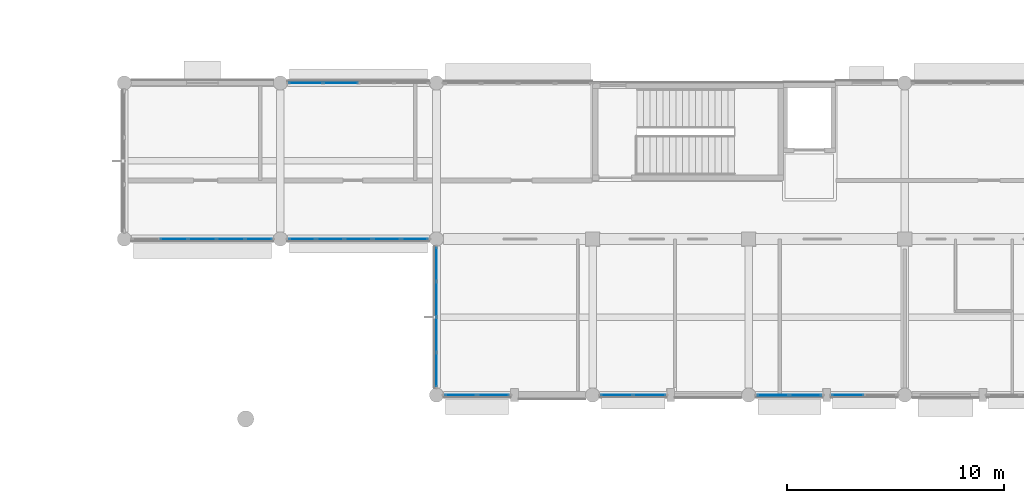
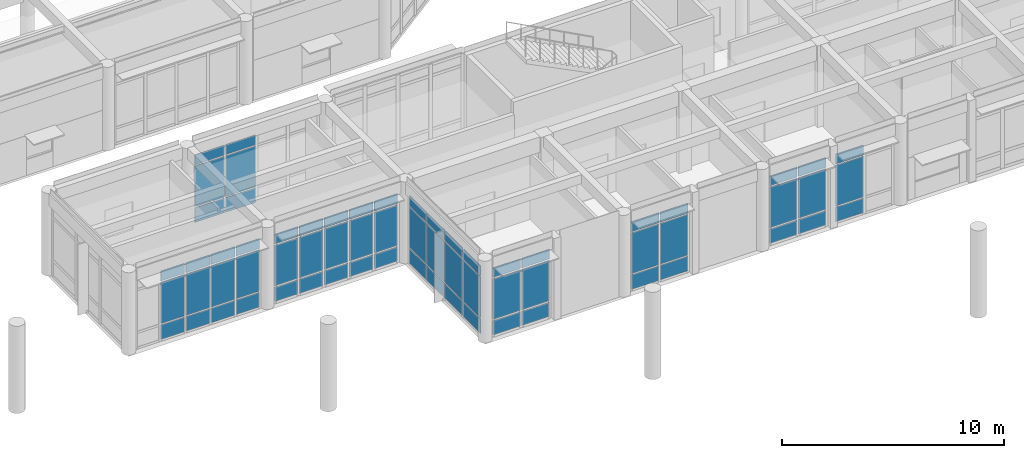
# One storey, part 34 of 92: 66 plates, 8 elements without a shape of their own.
"""IFC4 building model written with IfcOpenShell, lengths in metres."""

from ifc_helpers import new_model, si_unit, direction, frame, origin, origin_2d, place, context, subcontext, project, spatial, rectangle, extrude, material, layer, layer_set, type_object, element, aggregate, save


model = new_model("IFC4")

# Units and contexts
model_context = context("Model", 3, precision=1e-05, world=origin(), true_north=direction((0.0, 1.0)))
body_context = subcontext(model_context, "Body", "Model", "MODEL_VIEW")
ifc_project = project(units=[si_unit("LENGTHUNIT", "METRE"), si_unit("AREAUNIT", "SQUARE_METRE"), si_unit("VOLUMEUNIT", "CUBIC_METRE"), si_unit("PLANEANGLEUNIT", "RADIAN"), si_unit("MASSUNIT", "GRAM", prefix="KILO")], contexts=[model_context])

# Site, building, storey
site_placement = place(None, origin())
site = spatial("IfcSite", under=ifc_project, at=site_placement, CompositionType="ELEMENT")
building_placement = place(site_placement, origin())
building = spatial("IfcBuilding", under=site, at=building_placement, Name="Namkhue Oval Health Centre", CompositionType="ELEMENT")
storey_placement = place(building_placement, frame((0.0, 0.0, 4.800048828125)))
storey = spatial("IfcBuildingStorey", under=building, at=storey_placement, Name="L01", CompositionType="ELEMENT", Elevation=4.800048828125)

# Curtain wall, plates
ifc_material_1 = material(Name="Anodised aluminium EN AW-6063 T6", Category="aluminium")
ifc_layer_1 = layer(ifc_material_1, 0.159912109375)
ifc_layer_set_1 = layer_set([ifc_layer_1], Name="Anodised aluminium EN AW-6063 T6")
curtain_wall_type_1 = type_object("IfcCurtainWallType", Name="UNITISED CURTAIN WALL M1800", PredefinedType="NOTDEFINED", material=ifc_layer_set_1)
curtain_wall_1_placement = place(storey_placement, origin())
curtain_wall_1 = element("IfcCurtainWall", 1, at=curtain_wall_1_placement, inside=storey, type_object=curtain_wall_type_1, Name="Volume V4 L01 Unitised Curtain Wall 149", PredefinedType="NOTDEFINED")
ifc_material_2 = material(Name="Thermally broken low-E laminated double glazing", Category="glass")
ifc_layer_2 = layer(ifc_material_2, 0.02587890625)
ifc_layer_set_2 = layer_set([ifc_layer_2], Name="Thermally broken low-E laminated double glazing")
plate_type_1 = type_object("IfcPlateType", Name="CURTAIN WALL GLAZED PANEL 26", PredefinedType="CURTAIN_PANEL", material=ifc_layer_set_2)
plate_1_placement = place(storey_placement, frame((69.3720703125, 14.39990234375, 0.06494140625), z_axis=(0.0, 0.0, 1.0), x_axis=(1.0, 0.0, 0.0)))
plate_1 = element("IfcPlate", 2, at=plate_1_placement, type_object=plate_type_1, Name="CW-05 panel 1.1", PredefinedType="CURTAIN_PANEL", context=body_context, shape_type="SweptSolid", body=[
    extrude(rectangle(XDim=1.44189453125, YDim=0.02587890625, at=origin_2d()), origin(), (0.0, 0.0, 1.0), 0.802490234375),
])
plate_2_placement = place(storey_placement, frame((69.3720703125, 14.39990234375, 0.9326171875), z_axis=(0.0, 0.0, 1.0), x_axis=(1.0, 0.0, 0.0)))
plate_2 = element("IfcPlate", 3, at=plate_2_placement, type_object=plate_type_1, Name="CW-05 panel 1.2", PredefinedType="CURTAIN_PANEL", context=body_context, shape_type="SweptSolid", body=[
    extrude(rectangle(XDim=1.44189453125, YDim=0.02587890625, at=origin_2d()), origin(), (0.0, 0.0, 1.0), 2.239990234375),
])
plate_3_placement = place(storey_placement, frame((69.3720703125, 14.39990234375, 3.2373046875), z_axis=(0.0, 0.0, 1.0), x_axis=(1.0, 0.0, 0.0)))
plate_3 = element("IfcPlate", 4, at=plate_3_placement, type_object=plate_type_1, Name="CW-05 panel 1.3", PredefinedType="CURTAIN_PANEL", context=body_context, shape_type="SweptSolid", body=[
    extrude(rectangle(XDim=1.44189453125, YDim=0.02587890625, at=origin_2d()), origin(), (0.0, 0.0, 1.0), 0.552490234375),
])
aggregate(curtain_wall_1, [plate_1, plate_2, plate_3])

ifc_layer_3 = layer(ifc_material_1, 0.159912109375)
ifc_layer_set_3 = layer_set([ifc_layer_3], Name="Anodised aluminium EN AW-6063 T6")
curtain_wall_type_2 = type_object("IfcCurtainWallType", Name="UNITISED CURTAIN WALL M1200", PredefinedType="NOTDEFINED", material=ifc_layer_set_3)
curtain_wall_2_placement = place(storey_placement, origin())
curtain_wall_2 = element("IfcCurtainWall", 5, at=curtain_wall_2_placement, inside=storey, type_object=curtain_wall_type_2, Name="Volume V4 L01 Unitised Curtain Wall 157", PredefinedType="NOTDEFINED")
plate_4_placement = place(storey_placement, frame((38.2939453125, 21.60009765625, 0.06494140625), z_axis=(0.0, 0.0, 1.0), x_axis=(1.0, 0.0, 0.0)))
plate_4 = element("IfcPlate", 6, at=plate_4_placement, type_object=plate_type_1, Name="CW-01 panel 2.1", PredefinedType="CURTAIN_PANEL", context=body_context, shape_type="SweptSolid", body=[
    extrude(rectangle(XDim=1.240966796875, YDim=0.02587890625, at=origin_2d()), origin(), (0.0, 0.0, 1.0), 0.802490234375),
])
plate_5_placement = place(storey_placement, frame((38.2939453125, 21.60009765625, 0.9326171875), z_axis=(0.0, 0.0, 1.0), x_axis=(1.0, 0.0, 0.0)))
plate_5 = element("IfcPlate", 7, at=plate_5_placement, type_object=plate_type_1, Name="CW-01 panel 2.2", PredefinedType="CURTAIN_PANEL", context=body_context, shape_type="SweptSolid", body=[
    extrude(rectangle(XDim=1.240966796875, YDim=0.02587890625, at=origin_2d()), origin(), (0.0, 0.0, 1.0), 2.282958984375),
])
plate_6_placement = place(storey_placement, frame((38.2939453125, 21.60009765625, 3.2802734375), z_axis=(0.0, 0.0, 1.0), x_axis=(1.0, 0.0, 0.0)))
plate_6 = element("IfcPlate", 8, at=plate_6_placement, type_object=plate_type_1, Name="CW-01 panel 2.3", PredefinedType="CURTAIN_PANEL", context=body_context, shape_type="SweptSolid", body=[
    extrude(rectangle(XDim=1.240966796875, YDim=0.02587890625, at=origin_2d()), origin(), (0.0, 0.0, 1.0), 0.552490234375),
])
plate_7_placement = place(storey_placement, frame((39.60009765625, 21.60009765625, 0.06494140625), z_axis=(0.0, 0.0, 1.0), x_axis=(1.0, 0.0, 0.0)))
plate_7 = element("IfcPlate", 9, at=plate_7_placement, type_object=plate_type_1, Name="CW-01 panel 3.1", PredefinedType="CURTAIN_PANEL", context=body_context, shape_type="SweptSolid", body=[
    extrude(rectangle(XDim=1.240966796875, YDim=0.02587890625, at=origin_2d()), origin(), (0.0, 0.0, 1.0), 0.802490234375),
])
plate_8_placement = place(storey_placement, frame((39.60009765625, 21.60009765625, 0.9326171875), z_axis=(0.0, 0.0, 1.0), x_axis=(1.0, 0.0, 0.0)))
plate_8 = element("IfcPlate", 10, at=plate_8_placement, type_object=plate_type_1, Name="CW-01 panel 3.2", PredefinedType="CURTAIN_PANEL", context=body_context, shape_type="SweptSolid", body=[
    extrude(rectangle(XDim=1.240966796875, YDim=0.02587890625, at=origin_2d()), origin(), (0.0, 0.0, 1.0), 2.282958984375),
])
plate_9_placement = place(storey_placement, frame((39.60009765625, 21.60009765625, 3.2802734375), z_axis=(0.0, 0.0, 1.0), x_axis=(1.0, 0.0, 0.0)))
plate_9 = element("IfcPlate", 11, at=plate_9_placement, type_object=plate_type_1, Name="CW-01 panel 3.3", PredefinedType="CURTAIN_PANEL", context=body_context, shape_type="SweptSolid", body=[
    extrude(rectangle(XDim=1.240966796875, YDim=0.02587890625, at=origin_2d()), origin(), (0.0, 0.0, 1.0), 0.552490234375),
])
plate_10_placement = place(storey_placement, frame((40.906005859375, 21.60009765625, 0.06494140625), z_axis=(0.0, 0.0, 1.0), x_axis=(1.0, 0.0, 0.0)))
plate_10 = element("IfcPlate", 12, at=plate_10_placement, type_object=plate_type_1, Name="CW-01 panel 4.1", PredefinedType="CURTAIN_PANEL", context=body_context, shape_type="SweptSolid", body=[
    extrude(rectangle(XDim=1.240966796875, YDim=0.02587890625, at=origin_2d()), origin(), (0.0, 0.0, 1.0), 0.802490234375),
])
plate_11_placement = place(storey_placement, frame((40.906005859375, 21.60009765625, 0.9326171875), z_axis=(0.0, 0.0, 1.0), x_axis=(1.0, 0.0, 0.0)))
plate_11 = element("IfcPlate", 13, at=plate_11_placement, type_object=plate_type_1, Name="CW-01 panel 4.2", PredefinedType="CURTAIN_PANEL", context=body_context, shape_type="SweptSolid", body=[
    extrude(rectangle(XDim=1.240966796875, YDim=0.02587890625, at=origin_2d()), origin(), (0.0, 0.0, 1.0), 2.282958984375),
])
plate_12_placement = place(storey_placement, frame((40.906005859375, 21.60009765625, 3.2802734375), z_axis=(0.0, 0.0, 1.0), x_axis=(1.0, 0.0, 0.0)))
plate_12 = element("IfcPlate", 14, at=plate_12_placement, type_object=plate_type_1, Name="CW-01 panel 4.3", PredefinedType="CURTAIN_PANEL", context=body_context, shape_type="SweptSolid", body=[
    extrude(rectangle(XDim=1.240966796875, YDim=0.02587890625, at=origin_2d()), origin(), (0.0, 0.0, 1.0), 0.552490234375),
])
plate_13_placement = place(storey_placement, frame((42.19580078125, 21.60009765625, 0.06494140625), z_axis=(0.0, 0.0, 1.0), x_axis=(1.0, 0.0, 0.0)))
plate_13 = element("IfcPlate", 15, at=plate_13_placement, type_object=plate_type_1, Name="CW-01 panel 5.1", PredefinedType="CURTAIN_PANEL", context=body_context, shape_type="SweptSolid", body=[
    extrude(rectangle(XDim=1.20849609375, YDim=0.02587890625, at=origin_2d()), origin(), (0.0, 0.0, 1.0), 0.802490234375),
])
plate_14_placement = place(storey_placement, frame((42.19580078125, 21.60009765625, 0.9326171875), z_axis=(0.0, 0.0, 1.0), x_axis=(1.0, 0.0, 0.0)))
plate_14 = element("IfcPlate", 16, at=plate_14_placement, type_object=plate_type_1, Name="CW-01 panel 5.2", PredefinedType="CURTAIN_PANEL", context=body_context, shape_type="SweptSolid", body=[
    extrude(rectangle(XDim=1.20849609375, YDim=0.02587890625, at=origin_2d()), origin(), (0.0, 0.0, 1.0), 2.282958984375),
])
plate_15_placement = place(storey_placement, frame((42.19580078125, 21.60009765625, 3.2802734375), z_axis=(0.0, 0.0, 1.0), x_axis=(1.0, 0.0, 0.0)))
plate_15 = element("IfcPlate", 17, at=plate_15_placement, type_object=plate_type_1, Name="CW-01 panel 5.3", PredefinedType="CURTAIN_PANEL", context=body_context, shape_type="SweptSolid", body=[
    extrude(rectangle(XDim=1.20849609375, YDim=0.02587890625, at=origin_2d()), origin(), (0.0, 0.0, 1.0), 0.552490234375),
])
aggregate(curtain_wall_2, [plate_4, plate_5, plate_6, plate_7, plate_8, plate_9, plate_10, plate_11, plate_12, plate_13, plate_14, plate_15])

ifc_layer_4 = layer(ifc_material_1, 0.159912109375)
ifc_layer_set_4 = layer_set([ifc_layer_4], Name="Anodised aluminium EN AW-6063 T6")
curtain_wall_type_3 = type_object("IfcCurtainWallType", Name="UNITISED CURTAIN WALL M1350", PredefinedType="NOTDEFINED", material=ifc_layer_set_4)
curtain_wall_3_placement = place(storey_placement, origin())
curtain_wall_3 = element("IfcCurtainWall", 18, at=curtain_wall_3_placement, inside=storey, type_object=curtain_wall_type_3, Name="Volume V4 L01 Unitised Curtain Wall 146", PredefinedType="NOTDEFINED")
ifc_layer_5 = layer(ifc_material_2, 0.028076171875)
ifc_layer_set_5 = layer_set([ifc_layer_5], Name="Thermally broken low-E laminated double glazing")
plate_type_2 = type_object("IfcPlateType", Name="CURTAIN WALL GLAZED PANEL 28", PredefinedType="CURTAIN_PANEL", material=ifc_layer_set_5)
plate_16_placement = place(storey_placement, frame((51.5234375, 14.39990234375, 0.074951171875), z_axis=(0.0, 0.0, 1.0), x_axis=(1.0, 0.0, 0.0)))
plate_16 = element("IfcPlate", 19, at=plate_16_placement, type_object=plate_type_2, Name="CW-02 panel 1.1", PredefinedType="CURTAIN_PANEL", context=body_context, shape_type="SweptSolid", body=[
    extrude(rectangle(XDim=1.427001953125, YDim=0.028076171875, at=origin_2d()), origin(), (0.0, 0.0, 1.0), 0.78759765625),
])
plate_17_placement = place(storey_placement, frame((51.5234375, 14.39990234375, 0.9375), z_axis=(0.0, 0.0, 1.0), x_axis=(1.0, 0.0, 0.0)))
plate_17 = element("IfcPlate", 20, at=plate_17_placement, type_object=plate_type_2, Name="CW-02 panel 1.2", PredefinedType="CURTAIN_PANEL", context=body_context, shape_type="SweptSolid", body=[
    extrude(rectangle(XDim=1.427001953125, YDim=0.028076171875, at=origin_2d()), origin(), (0.0, 0.0, 1.0), 2.22998046875),
])
plate_18_placement = place(storey_placement, frame((51.5234375, 14.39990234375, 3.242431640625), z_axis=(0.0, 0.0, 1.0), x_axis=(1.0, 0.0, 0.0)))
plate_18 = element("IfcPlate", 21, at=plate_18_placement, type_object=plate_type_2, Name="CW-02 panel 1.3", PredefinedType="CURTAIN_PANEL", context=body_context, shape_type="SweptSolid", body=[
    extrude(rectangle(XDim=1.427001953125, YDim=0.028076171875, at=origin_2d()), origin(), (0.0, 0.0, 1.0), 0.53759765625),
])
plate_19_placement = place(storey_placement, frame((53.025390625, 14.39990234375, 0.074951171875), z_axis=(0.0, 0.0, 1.0), x_axis=(1.0, 0.0, 0.0)))
plate_19 = element("IfcPlate", 22, at=plate_19_placement, type_object=plate_type_2, Name="CW-02 panel 2.1", PredefinedType="CURTAIN_PANEL", context=body_context, shape_type="SweptSolid", body=[
    extrude(rectangle(XDim=1.427001953125, YDim=0.028076171875, at=origin_2d()), origin(), (0.0, 0.0, 1.0), 0.78759765625),
])
plate_20_placement = place(storey_placement, frame((53.025390625, 14.39990234375, 0.9375), z_axis=(0.0, 0.0, 1.0), x_axis=(1.0, 0.0, 0.0)))
plate_20 = element("IfcPlate", 23, at=plate_20_placement, type_object=plate_type_2, Name="CW-02 panel 2.2", PredefinedType="CURTAIN_PANEL", context=body_context, shape_type="SweptSolid", body=[
    extrude(rectangle(XDim=1.427001953125, YDim=0.028076171875, at=origin_2d()), origin(), (0.0, 0.0, 1.0), 2.22998046875),
])
plate_21_placement = place(storey_placement, frame((53.025390625, 14.39990234375, 3.242431640625), z_axis=(0.0, 0.0, 1.0), x_axis=(1.0, 0.0, 0.0)))
plate_21 = element("IfcPlate", 24, at=plate_21_placement, type_object=plate_type_2, Name="CW-02 panel 2.3", PredefinedType="CURTAIN_PANEL", context=body_context, shape_type="SweptSolid", body=[
    extrude(rectangle(XDim=1.427001953125, YDim=0.028076171875, at=origin_2d()), origin(), (0.0, 0.0, 1.0), 0.53759765625),
])
aggregate(curtain_wall_3, [plate_16, plate_17, plate_18, plate_19, plate_20, plate_21])

curtain_wall_4_placement = place(storey_placement, origin())
curtain_wall_4 = element("IfcCurtainWall", 25, at=curtain_wall_4_placement, inside=storey, type_object=curtain_wall_type_3, Name="Volume V4 L01 Unitised Curtain Wall 158", PredefinedType="NOTDEFINED")
plate_22_placement = place(storey_placement, frame((44.206787109375, 21.60009765625, 0.074951171875), z_axis=(0.0, 0.0, 1.0), x_axis=(1.0, 0.0, 0.0)))
plate_22 = element("IfcPlate", 26, at=plate_22_placement, type_object=plate_type_2, Name="CW-02 panel 1.1", PredefinedType="CURTAIN_PANEL", context=body_context, shape_type="SweptSolid", body=[
    extrude(rectangle(XDim=1.193603515625, YDim=0.028076171875, at=origin_2d()), origin(), (0.0, 0.0, 1.0), 0.78759765625),
])
plate_23_placement = place(storey_placement, frame((44.206787109375, 21.60009765625, 0.9375), z_axis=(0.0, 0.0, 1.0), x_axis=(1.0, 0.0, 0.0)))
plate_23 = element("IfcPlate", 27, at=plate_23_placement, type_object=plate_type_2, Name="CW-02 panel 1.2", PredefinedType="CURTAIN_PANEL", context=body_context, shape_type="SweptSolid", body=[
    extrude(rectangle(XDim=1.193603515625, YDim=0.028076171875, at=origin_2d()), origin(), (0.0, 0.0, 1.0), 2.22998046875),
])
plate_24_placement = place(storey_placement, frame((44.206787109375, 21.60009765625, 3.242431640625), z_axis=(0.0, 0.0, 1.0), x_axis=(1.0, 0.0, 0.0)))
plate_24 = element("IfcPlate", 28, at=plate_24_placement, type_object=plate_type_2, Name="CW-02 panel 1.3", PredefinedType="CURTAIN_PANEL", context=body_context, shape_type="SweptSolid", body=[
    extrude(rectangle(XDim=1.193603515625, YDim=0.028076171875, at=origin_2d()), origin(), (0.0, 0.0, 1.0), 0.53759765625),
])
plate_25_placement = place(storey_placement, frame((45.493896484375, 21.60009765625, 0.074951171875), z_axis=(0.0, 0.0, 1.0), x_axis=(1.0, 0.0, 0.0)))
plate_25 = element("IfcPlate", 29, at=plate_25_placement, type_object=plate_type_2, Name="CW-02 panel 2.1", PredefinedType="CURTAIN_PANEL", context=body_context, shape_type="SweptSolid", body=[
    extrude(rectangle(XDim=1.23095703125, YDim=0.028076171875, at=origin_2d()), origin(), (0.0, 0.0, 1.0), 0.78759765625),
])
plate_26_placement = place(storey_placement, frame((45.493896484375, 21.60009765625, 0.9375), z_axis=(0.0, 0.0, 1.0), x_axis=(1.0, 0.0, 0.0)))
plate_26 = element("IfcPlate", 30, at=plate_26_placement, type_object=plate_type_2, Name="CW-02 panel 2.2", PredefinedType="CURTAIN_PANEL", context=body_context, shape_type="SweptSolid", body=[
    extrude(rectangle(XDim=1.23095703125, YDim=0.028076171875, at=origin_2d()), origin(), (0.0, 0.0, 1.0), 2.22998046875),
])
plate_27_placement = place(storey_placement, frame((45.493896484375, 21.60009765625, 3.242431640625), z_axis=(0.0, 0.0, 1.0), x_axis=(1.0, 0.0, 0.0)))
plate_27 = element("IfcPlate", 31, at=plate_27_placement, type_object=plate_type_2, Name="CW-02 panel 2.3", PredefinedType="CURTAIN_PANEL", context=body_context, shape_type="SweptSolid", body=[
    extrude(rectangle(XDim=1.23095703125, YDim=0.028076171875, at=origin_2d()), origin(), (0.0, 0.0, 1.0), 0.53759765625),
])
plate_28_placement = place(storey_placement, frame((46.800048828125, 21.60009765625, 0.074951171875), z_axis=(0.0, 0.0, 1.0), x_axis=(1.0, 0.0, 0.0)))
plate_28 = element("IfcPlate", 32, at=plate_28_placement, type_object=plate_type_2, Name="CW-02 panel 3.1", PredefinedType="CURTAIN_PANEL", context=body_context, shape_type="SweptSolid", body=[
    extrude(rectangle(XDim=1.23095703125, YDim=0.028076171875, at=origin_2d()), origin(), (0.0, 0.0, 1.0), 0.78759765625),
])
plate_29_placement = place(storey_placement, frame((46.800048828125, 21.60009765625, 0.9375), z_axis=(0.0, 0.0, 1.0), x_axis=(1.0, 0.0, 0.0)))
plate_29 = element("IfcPlate", 33, at=plate_29_placement, type_object=plate_type_2, Name="CW-02 panel 3.2", PredefinedType="CURTAIN_PANEL", context=body_context, shape_type="SweptSolid", body=[
    extrude(rectangle(XDim=1.23095703125, YDim=0.028076171875, at=origin_2d()), origin(), (0.0, 0.0, 1.0), 2.22998046875),
])
plate_30_placement = place(storey_placement, frame((46.800048828125, 21.60009765625, 3.242431640625), z_axis=(0.0, 0.0, 1.0), x_axis=(1.0, 0.0, 0.0)))
plate_30 = element("IfcPlate", 34, at=plate_30_placement, type_object=plate_type_2, Name="CW-02 panel 3.3", PredefinedType="CURTAIN_PANEL", context=body_context, shape_type="SweptSolid", body=[
    extrude(rectangle(XDim=1.23095703125, YDim=0.028076171875, at=origin_2d()), origin(), (0.0, 0.0, 1.0), 0.53759765625),
])
plate_31_placement = place(storey_placement, frame((48.10595703125, 21.60009765625, 0.074951171875), z_axis=(0.0, 0.0, 1.0), x_axis=(1.0, 0.0, 0.0)))
plate_31 = element("IfcPlate", 35, at=plate_31_placement, type_object=plate_type_2, Name="CW-02 panel 4.1", PredefinedType="CURTAIN_PANEL", context=body_context, shape_type="SweptSolid", body=[
    extrude(rectangle(XDim=1.23095703125, YDim=0.028076171875, at=origin_2d()), origin(), (0.0, 0.0, 1.0), 0.78759765625),
])
plate_32_placement = place(storey_placement, frame((48.10595703125, 21.60009765625, 0.9375), z_axis=(0.0, 0.0, 1.0), x_axis=(1.0, 0.0, 0.0)))
plate_32 = element("IfcPlate", 36, at=plate_32_placement, type_object=plate_type_2, Name="CW-02 panel 4.2", PredefinedType="CURTAIN_PANEL", context=body_context, shape_type="SweptSolid", body=[
    extrude(rectangle(XDim=1.23095703125, YDim=0.028076171875, at=origin_2d()), origin(), (0.0, 0.0, 1.0), 2.22998046875),
])
plate_33_placement = place(storey_placement, frame((48.10595703125, 21.60009765625, 3.242431640625), z_axis=(0.0, 0.0, 1.0), x_axis=(1.0, 0.0, 0.0)))
plate_33 = element("IfcPlate", 37, at=plate_33_placement, type_object=plate_type_2, Name="CW-02 panel 4.3", PredefinedType="CURTAIN_PANEL", context=body_context, shape_type="SweptSolid", body=[
    extrude(rectangle(XDim=1.23095703125, YDim=0.028076171875, at=origin_2d()), origin(), (0.0, 0.0, 1.0), 0.53759765625),
])
plate_34_placement = place(storey_placement, frame((49.393310546875, 21.60009765625, 0.074951171875), z_axis=(0.0, 0.0, 1.0), x_axis=(1.0, 0.0, 0.0)))
plate_34 = element("IfcPlate", 38, at=plate_34_placement, type_object=plate_type_2, Name="CW-02 panel 5.1", PredefinedType="CURTAIN_PANEL", context=body_context, shape_type="SweptSolid", body=[
    extrude(rectangle(XDim=1.193603515625, YDim=0.028076171875, at=origin_2d()), origin(), (0.0, 0.0, 1.0), 0.78759765625),
])
plate_35_placement = place(storey_placement, frame((49.393310546875, 21.60009765625, 0.9375), z_axis=(0.0, 0.0, 1.0), x_axis=(1.0, 0.0, 0.0)))
plate_35 = element("IfcPlate", 39, at=plate_35_placement, type_object=plate_type_2, Name="CW-02 panel 5.2", PredefinedType="CURTAIN_PANEL", context=body_context, shape_type="SweptSolid", body=[
    extrude(rectangle(XDim=1.193603515625, YDim=0.028076171875, at=origin_2d()), origin(), (0.0, 0.0, 1.0), 2.22998046875),
])
plate_36_placement = place(storey_placement, frame((49.393310546875, 21.60009765625, 3.242431640625), z_axis=(0.0, 0.0, 1.0), x_axis=(1.0, 0.0, 0.0)))
plate_36 = element("IfcPlate", 40, at=plate_36_placement, type_object=plate_type_2, Name="CW-02 panel 5.3", PredefinedType="CURTAIN_PANEL", context=body_context, shape_type="SweptSolid", body=[
    extrude(rectangle(XDim=1.193603515625, YDim=0.028076171875, at=origin_2d()), origin(), (0.0, 0.0, 1.0), 0.53759765625),
])
aggregate(curtain_wall_4, [plate_22, plate_23, plate_24, plate_25, plate_26, plate_27, plate_28, plate_29, plate_30, plate_31, plate_32, plate_33, plate_34, plate_35, plate_36])

ifc_layer_6 = layer(ifc_material_1, 0.159912109375)
ifc_layer_set_6 = layer_set([ifc_layer_6], Name="Anodised aluminium EN AW-6063 T6")
curtain_wall_type_4 = type_object("IfcCurtainWallType", Name="UNITISED CURTAIN WALL M1500", PredefinedType="NOTDEFINED", material=ifc_layer_set_6)
curtain_wall_5_placement = place(storey_placement, origin())
curtain_wall_5 = element("IfcCurtainWall", 41, at=curtain_wall_5_placement, inside=storey, type_object=curtain_wall_type_4, Name="Volume V4 L01 Unitised Curtain Wall 147", PredefinedType="NOTDEFINED")
ifc_material_3 = material(Name="Insulated anodised aluminium spandrel panel", Category="aluminium")
ifc_layer_7 = layer(ifc_material_3, 0.031982421875)
ifc_layer_set_7 = layer_set([ifc_layer_7], Name="Insulated anodised aluminium spandrel panel")
plate_type_3 = type_object("IfcPlateType", Name="CURTAIN WALL SPANDREL PANEL 32", PredefinedType="CURTAIN_PANEL", material=ifc_layer_set_7)
plate_37_placement = place(storey_placement, frame((58.720947265625, 14.39990234375, 0.06494140625), z_axis=(0.0, 0.0, 1.0), x_axis=(1.0, 0.0, 0.0)))
plate_37 = element("IfcPlate", 42, at=plate_37_placement, type_object=plate_type_3, Name="CW-03 panel 1.1", PredefinedType="CURTAIN_PANEL", context=body_context, shape_type="SweptSolid", body=[
    extrude(rectangle(XDim=1.44189453125, YDim=0.031982421875, at=origin_2d()), origin(), (0.0, 0.0, 1.0), 0.802490234375),
])
plate_38_placement = place(storey_placement, frame((58.720947265625, 14.39990234375, 0.9326171875), z_axis=(0.0, 0.0, 1.0), x_axis=(1.0, 0.0, 0.0)))
plate_38 = element("IfcPlate", 43, at=plate_38_placement, type_object=plate_type_3, Name="CW-03 panel 1.2", PredefinedType="CURTAIN_PANEL", context=body_context, shape_type="SweptSolid", body=[
    extrude(rectangle(XDim=1.44189453125, YDim=0.031982421875, at=origin_2d()), origin(), (0.0, 0.0, 1.0), 2.239990234375),
])
plate_39_placement = place(storey_placement, frame((58.720947265625, 14.39990234375, 3.2373046875), z_axis=(0.0, 0.0, 1.0), x_axis=(1.0, 0.0, 0.0)))
plate_39 = element("IfcPlate", 44, at=plate_39_placement, type_object=plate_type_3, Name="CW-03 panel 1.3", PredefinedType="CURTAIN_PANEL", context=body_context, shape_type="SweptSolid", body=[
    extrude(rectangle(XDim=1.44189453125, YDim=0.031982421875, at=origin_2d()), origin(), (0.0, 0.0, 1.0), 0.552490234375),
])
plate_40_placement = place(storey_placement, frame((60.22802734375, 14.39990234375, 0.06494140625), z_axis=(0.0, 0.0, 1.0), x_axis=(1.0, 0.0, 0.0)))
plate_40 = element("IfcPlate", 45, at=plate_40_placement, type_object=plate_type_3, Name="CW-03 panel 2.1", PredefinedType="CURTAIN_PANEL", context=body_context, shape_type="SweptSolid", body=[
    extrude(rectangle(XDim=1.44189453125, YDim=0.031982421875, at=origin_2d()), origin(), (0.0, 0.0, 1.0), 0.802490234375),
])
plate_41_placement = place(storey_placement, frame((60.22802734375, 14.39990234375, 0.9326171875), z_axis=(0.0, 0.0, 1.0), x_axis=(1.0, 0.0, 0.0)))
plate_41 = element("IfcPlate", 46, at=plate_41_placement, type_object=plate_type_3, Name="CW-03 panel 2.2", PredefinedType="CURTAIN_PANEL", context=body_context, shape_type="SweptSolid", body=[
    extrude(rectangle(XDim=1.44189453125, YDim=0.031982421875, at=origin_2d()), origin(), (0.0, 0.0, 1.0), 2.239990234375),
])
plate_42_placement = place(storey_placement, frame((60.22802734375, 14.39990234375, 3.2373046875), z_axis=(0.0, 0.0, 1.0), x_axis=(1.0, 0.0, 0.0)))
plate_42 = element("IfcPlate", 47, at=plate_42_placement, type_object=plate_type_3, Name="CW-03 panel 2.3", PredefinedType="CURTAIN_PANEL", context=body_context, shape_type="SweptSolid", body=[
    extrude(rectangle(XDim=1.44189453125, YDim=0.031982421875, at=origin_2d()), origin(), (0.0, 0.0, 1.0), 0.552490234375),
])
aggregate(curtain_wall_5, [plate_37, plate_38, plate_39, plate_40, plate_41, plate_42])

curtain_wall_6_placement = place(storey_placement, origin())
curtain_wall_6 = element("IfcCurtainWall", 48, at=curtain_wall_6_placement, inside=storey, type_object=curtain_wall_type_1, Name="Volume V4 L01 Unitised Curtain Wall 155", PredefinedType="NOTDEFINED")
plate_43_placement = place(storey_placement, frame((45.983642578125, 28.800048828125, 0.06494140625), z_axis=(0.0, 0.0, 1.0), x_axis=(-1.0, 0.0, 0.0)))
plate_43 = element("IfcPlate", 49, at=plate_43_placement, type_object=plate_type_3, Name="CW-05 panel 3.1", PredefinedType="CURTAIN_PANEL", context=body_context, shape_type="SweptSolid", body=[
    extrude(rectangle(XDim=1.5673828125, YDim=0.031982421875, at=origin_2d()), origin(), (0.0, 0.0, 1.0), 0.802490234375),
])
plate_44_placement = place(storey_placement, frame((45.983642578125, 28.800048828125, 0.9326171875), z_axis=(0.0, 0.0, 1.0), x_axis=(-1.0, 0.0, 0.0)))
plate_44 = element("IfcPlate", 50, at=plate_44_placement, type_object=plate_type_3, Name="CW-05 panel 3.2", PredefinedType="CURTAIN_PANEL", context=body_context, shape_type="SweptSolid", body=[
    extrude(rectangle(XDim=1.5673828125, YDim=0.031982421875, at=origin_2d()), origin(), (0.0, 0.0, 1.0), 2.239990234375),
])
plate_45_placement = place(storey_placement, frame((45.983642578125, 28.800048828125, 3.2373046875), z_axis=(0.0, 0.0, 1.0), x_axis=(-1.0, 0.0, 0.0)))
plate_45 = element("IfcPlate", 51, at=plate_45_placement, type_object=plate_type_3, Name="CW-05 panel 3.3", PredefinedType="CURTAIN_PANEL", context=body_context, shape_type="SweptSolid", body=[
    extrude(rectangle(XDim=1.5673828125, YDim=0.031982421875, at=origin_2d()), origin(), (0.0, 0.0, 1.0), 0.552490234375),
])
plate_46_placement = place(storey_placement, frame((44.367431640625, 28.800048828125, 0.06494140625), z_axis=(0.0, 0.0, 1.0), x_axis=(-1.0, 0.0, 0.0)))
plate_46 = element("IfcPlate", 52, at=plate_46_placement, type_object=plate_type_3, Name="CW-05 panel 4.1", PredefinedType="CURTAIN_PANEL", context=body_context, shape_type="SweptSolid", body=[
    extrude(rectangle(XDim=1.534912109375, YDim=0.031982421875, at=origin_2d()), origin(), (0.0, 0.0, 1.0), 0.802490234375),
])
plate_47_placement = place(storey_placement, frame((44.367431640625, 28.800048828125, 0.9326171875), z_axis=(0.0, 0.0, 1.0), x_axis=(-1.0, 0.0, 0.0)))
plate_47 = element("IfcPlate", 53, at=plate_47_placement, type_object=plate_type_3, Name="CW-05 panel 4.2", PredefinedType="CURTAIN_PANEL", context=body_context, shape_type="SweptSolid", body=[
    extrude(rectangle(XDim=1.534912109375, YDim=0.031982421875, at=origin_2d()), origin(), (0.0, 0.0, 1.0), 2.239990234375),
])
plate_48_placement = place(storey_placement, frame((44.367431640625, 28.800048828125, 3.2373046875), z_axis=(0.0, 0.0, 1.0), x_axis=(-1.0, 0.0, 0.0)))
plate_48 = element("IfcPlate", 54, at=plate_48_placement, type_object=plate_type_3, Name="CW-05 panel 4.3", PredefinedType="CURTAIN_PANEL", context=body_context, shape_type="SweptSolid", body=[
    extrude(rectangle(XDim=1.534912109375, YDim=0.031982421875, at=origin_2d()), origin(), (0.0, 0.0, 1.0), 0.552490234375),
])
aggregate(curtain_wall_6, [plate_43, plate_44, plate_45, plate_46, plate_47, plate_48])

curtain_wall_7_placement = place(storey_placement, origin())
curtain_wall_7 = element("IfcCurtainWall", 55, at=curtain_wall_7_placement, inside=storey, type_object=curtain_wall_type_4, Name="Volume V4 L01 Unitised Curtain Wall 159", PredefinedType="NOTDEFINED")
plate_49_placement = place(storey_placement, frame((50.39990234375, 20.4326171875, 0.06494140625), z_axis=(0.0, 0.0, 1.0), x_axis=(0.0, -1.0, 0.0)))
plate_49 = element("IfcPlate", 56, at=plate_49_placement, type_object=plate_type_3, Name="CW-03 panel 1.1", PredefinedType="CURTAIN_PANEL", context=body_context, shape_type="SweptSolid", body=[
    extrude(rectangle(XDim=1.534912109375, YDim=0.031982421875, at=origin_2d()), origin(), (0.0, 0.0, 1.0), 0.802490234375),
])
plate_50_placement = place(storey_placement, frame((50.39990234375, 20.4326171875, 0.9326171875), z_axis=(0.0, 0.0, 1.0), x_axis=(0.0, -1.0, 0.0)))
plate_50 = element("IfcPlate", 57, at=plate_50_placement, type_object=plate_type_3, Name="CW-03 panel 1.2", PredefinedType="CURTAIN_PANEL", context=body_context, shape_type="SweptSolid", body=[
    extrude(rectangle(XDim=1.534912109375, YDim=0.031982421875, at=origin_2d()), origin(), (0.0, 0.0, 1.0), 2.239990234375),
])
plate_51_placement = place(storey_placement, frame((50.39990234375, 20.4326171875, 3.2373046875), z_axis=(0.0, 0.0, 1.0), x_axis=(0.0, -1.0, 0.0)))
plate_51 = element("IfcPlate", 58, at=plate_51_placement, type_object=plate_type_3, Name="CW-03 panel 1.3", PredefinedType="CURTAIN_PANEL", context=body_context, shape_type="SweptSolid", body=[
    extrude(rectangle(XDim=1.534912109375, YDim=0.031982421875, at=origin_2d()), origin(), (0.0, 0.0, 1.0), 0.552490234375),
])
plate_52_placement = place(storey_placement, frame((50.39990234375, 18.816162109375, 0.06494140625), z_axis=(0.0, 0.0, 1.0), x_axis=(0.0, -1.0, 0.0)))
plate_52 = element("IfcPlate", 59, at=plate_52_placement, type_object=plate_type_3, Name="CW-03 panel 2.1", PredefinedType="CURTAIN_PANEL", context=body_context, shape_type="SweptSolid", body=[
    extrude(rectangle(XDim=1.5673828125, YDim=0.031982421875, at=origin_2d()), origin(), (0.0, 0.0, 1.0), 0.802490234375),
])
plate_53_placement = place(storey_placement, frame((50.39990234375, 18.816162109375, 0.9326171875), z_axis=(0.0, 0.0, 1.0), x_axis=(0.0, -1.0, 0.0)))
plate_53 = element("IfcPlate", 60, at=plate_53_placement, type_object=plate_type_3, Name="CW-03 panel 2.2", PredefinedType="CURTAIN_PANEL", context=body_context, shape_type="SweptSolid", body=[
    extrude(rectangle(XDim=1.5673828125, YDim=0.031982421875, at=origin_2d()), origin(), (0.0, 0.0, 1.0), 2.239990234375),
])
plate_54_placement = place(storey_placement, frame((50.39990234375, 18.816162109375, 3.2373046875), z_axis=(0.0, 0.0, 1.0), x_axis=(0.0, -1.0, 0.0)))
plate_54 = element("IfcPlate", 61, at=plate_54_placement, type_object=plate_type_3, Name="CW-03 panel 2.3", PredefinedType="CURTAIN_PANEL", context=body_context, shape_type="SweptSolid", body=[
    extrude(rectangle(XDim=1.5673828125, YDim=0.031982421875, at=origin_2d()), origin(), (0.0, 0.0, 1.0), 0.552490234375),
])
plate_55_placement = place(storey_placement, frame((50.39990234375, 17.183837890625, 0.06494140625), z_axis=(0.0, 0.0, 1.0), x_axis=(0.0, -1.0, 0.0)))
plate_55 = element("IfcPlate", 62, at=plate_55_placement, type_object=plate_type_3, Name="CW-03 panel 3.1", PredefinedType="CURTAIN_PANEL", context=body_context, shape_type="SweptSolid", body=[
    extrude(rectangle(XDim=1.5673828125, YDim=0.031982421875, at=origin_2d()), origin(), (0.0, 0.0, 1.0), 0.802490234375),
])
plate_56_placement = place(storey_placement, frame((50.39990234375, 17.183837890625, 0.9326171875), z_axis=(0.0, 0.0, 1.0), x_axis=(0.0, -1.0, 0.0)))
plate_56 = element("IfcPlate", 63, at=plate_56_placement, type_object=plate_type_3, Name="CW-03 panel 3.2", PredefinedType="CURTAIN_PANEL", context=body_context, shape_type="SweptSolid", body=[
    extrude(rectangle(XDim=1.5673828125, YDim=0.031982421875, at=origin_2d()), origin(), (0.0, 0.0, 1.0), 2.239990234375),
])
plate_57_placement = place(storey_placement, frame((50.39990234375, 17.183837890625, 3.2373046875), z_axis=(0.0, 0.0, 1.0), x_axis=(0.0, -1.0, 0.0)))
plate_57 = element("IfcPlate", 64, at=plate_57_placement, type_object=plate_type_3, Name="CW-03 panel 3.3", PredefinedType="CURTAIN_PANEL", context=body_context, shape_type="SweptSolid", body=[
    extrude(rectangle(XDim=1.5673828125, YDim=0.031982421875, at=origin_2d()), origin(), (0.0, 0.0, 1.0), 0.552490234375),
])
plate_58_placement = place(storey_placement, frame((50.39990234375, 15.5673828125, 0.06494140625), z_axis=(0.0, 0.0, 1.0), x_axis=(0.0, -1.0, 0.0)))
plate_58 = element("IfcPlate", 65, at=plate_58_placement, type_object=plate_type_3, Name="CW-03 panel 4.1", PredefinedType="CURTAIN_PANEL", context=body_context, shape_type="SweptSolid", body=[
    extrude(rectangle(XDim=1.534912109375, YDim=0.031982421875, at=origin_2d()), origin(), (0.0, 0.0, 1.0), 0.802490234375),
])
plate_59_placement = place(storey_placement, frame((50.39990234375, 15.5673828125, 0.9326171875), z_axis=(0.0, 0.0, 1.0), x_axis=(0.0, -1.0, 0.0)))
plate_59 = element("IfcPlate", 66, at=plate_59_placement, type_object=plate_type_3, Name="CW-03 panel 4.2", PredefinedType="CURTAIN_PANEL", context=body_context, shape_type="SweptSolid", body=[
    extrude(rectangle(XDim=1.534912109375, YDim=0.031982421875, at=origin_2d()), origin(), (0.0, 0.0, 1.0), 2.239990234375),
])
plate_60_placement = place(storey_placement, frame((50.39990234375, 15.5673828125, 3.2373046875), z_axis=(0.0, 0.0, 1.0), x_axis=(0.0, -1.0, 0.0)))
plate_60 = element("IfcPlate", 67, at=plate_60_placement, type_object=plate_type_3, Name="CW-03 panel 4.3", PredefinedType="CURTAIN_PANEL", context=body_context, shape_type="SweptSolid", body=[
    extrude(rectangle(XDim=1.534912109375, YDim=0.031982421875, at=origin_2d()), origin(), (0.0, 0.0, 1.0), 0.552490234375),
])
aggregate(curtain_wall_7, [plate_49, plate_50, plate_51, plate_52, plate_53, plate_54, plate_55, plate_56, plate_57, plate_58, plate_59, plate_60])

ifc_layer_8 = layer(ifc_material_1, 0.159912109375)
ifc_layer_set_8 = layer_set([ifc_layer_8], Name="Anodised aluminium EN AW-6063 T6")
curtain_wall_type_5 = type_object("IfcCurtainWallType", Name="UNITISED CURTAIN WALL M1600", PredefinedType="NOTDEFINED", material=ifc_layer_set_8)
curtain_wall_8_placement = place(storey_placement, origin())
curtain_wall_8 = element("IfcCurtainWall", 68, at=curtain_wall_8_placement, inside=storey, type_object=curtain_wall_type_5, Name="Volume V4 L01 Unitised Curtain Wall 148", PredefinedType="NOTDEFINED")
ifc_layer_9 = layer(ifc_material_3, 0.035888671875)
ifc_layer_set_9 = layer_set([ifc_layer_9], Name="Insulated anodised aluminium spandrel panel")
plate_type_4 = type_object("IfcPlateType", Name="CURTAIN WALL SPANDREL PANEL 36", PredefinedType="CURTAIN_PANEL", material=ifc_layer_set_9)
plate_61_placement = place(storey_placement, frame((65.923583984375, 14.39990234375, 0.074951171875), z_axis=(0.0, 0.0, 1.0), x_axis=(1.0, 0.0, 0.0)))
plate_61 = element("IfcPlate", 69, at=plate_61_placement, type_object=plate_type_4, Name="CW-04 panel 1.1", PredefinedType="CURTAIN_PANEL", context=body_context, shape_type="SweptSolid", body=[
    extrude(rectangle(XDim=1.427001953125, YDim=0.035888671875, at=origin_2d()), origin(), (0.0, 0.0, 1.0), 0.78759765625),
])
plate_62_placement = place(storey_placement, frame((65.923583984375, 14.39990234375, 0.9375), z_axis=(0.0, 0.0, 1.0), x_axis=(1.0, 0.0, 0.0)))
plate_62 = element("IfcPlate", 70, at=plate_62_placement, type_object=plate_type_4, Name="CW-04 panel 1.2", PredefinedType="CURTAIN_PANEL", context=body_context, shape_type="SweptSolid", body=[
    extrude(rectangle(XDim=1.427001953125, YDim=0.035888671875, at=origin_2d()), origin(), (0.0, 0.0, 1.0), 2.22998046875),
])
plate_63_placement = place(storey_placement, frame((65.923583984375, 14.39990234375, 3.242431640625), z_axis=(0.0, 0.0, 1.0), x_axis=(1.0, 0.0, 0.0)))
plate_63 = element("IfcPlate", 71, at=plate_63_placement, type_object=plate_type_4, Name="CW-04 panel 1.3", PredefinedType="CURTAIN_PANEL", context=body_context, shape_type="SweptSolid", body=[
    extrude(rectangle(XDim=1.427001953125, YDim=0.035888671875, at=origin_2d()), origin(), (0.0, 0.0, 1.0), 0.53759765625),
])
plate_64_placement = place(storey_placement, frame((67.425537109375, 14.39990234375, 0.074951171875), z_axis=(0.0, 0.0, 1.0), x_axis=(1.0, 0.0, 0.0)))
plate_64 = element("IfcPlate", 72, at=plate_64_placement, type_object=plate_type_4, Name="CW-04 panel 2.1", PredefinedType="CURTAIN_PANEL", context=body_context, shape_type="SweptSolid", body=[
    extrude(rectangle(XDim=1.427001953125, YDim=0.035888671875, at=origin_2d()), origin(), (0.0, 0.0, 1.0), 0.78759765625),
])
plate_65_placement = place(storey_placement, frame((67.425537109375, 14.39990234375, 0.9375), z_axis=(0.0, 0.0, 1.0), x_axis=(1.0, 0.0, 0.0)))
plate_65 = element("IfcPlate", 73, at=plate_65_placement, type_object=plate_type_4, Name="CW-04 panel 2.2", PredefinedType="CURTAIN_PANEL", context=body_context, shape_type="SweptSolid", body=[
    extrude(rectangle(XDim=1.427001953125, YDim=0.035888671875, at=origin_2d()), origin(), (0.0, 0.0, 1.0), 2.22998046875),
])
plate_66_placement = place(storey_placement, frame((67.425537109375, 14.39990234375, 3.242431640625), z_axis=(0.0, 0.0, 1.0), x_axis=(1.0, 0.0, 0.0)))
plate_66 = element("IfcPlate", 74, at=plate_66_placement, type_object=plate_type_4, Name="CW-04 panel 2.3", PredefinedType="CURTAIN_PANEL", context=body_context, shape_type="SweptSolid", body=[
    extrude(rectangle(XDim=1.427001953125, YDim=0.035888671875, at=origin_2d()), origin(), (0.0, 0.0, 1.0), 0.53759765625),
])
aggregate(curtain_wall_8, [plate_61, plate_62, plate_63, plate_64, plate_65, plate_66])

save(model, "model.ifc")
